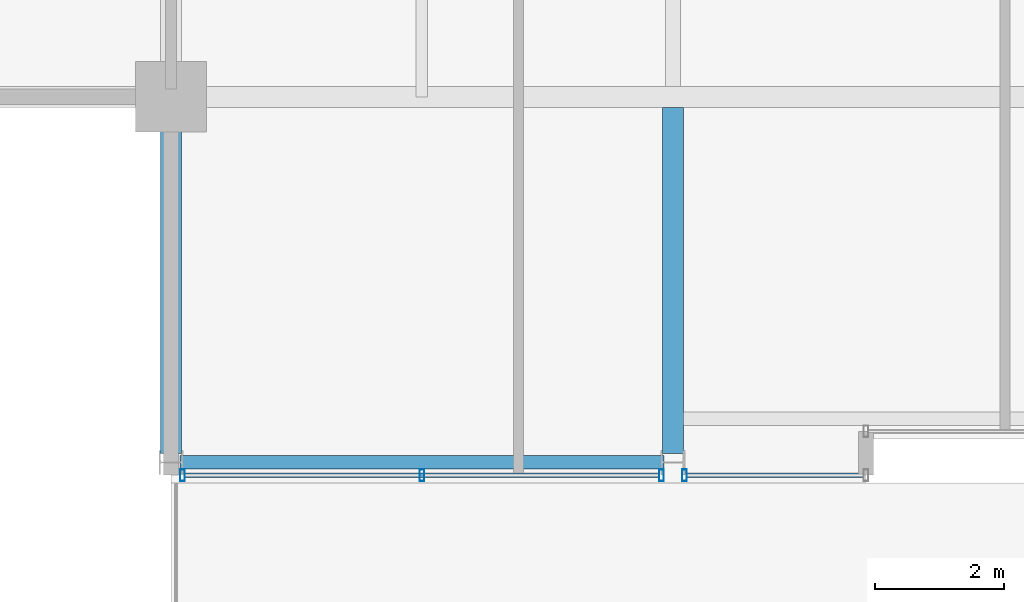
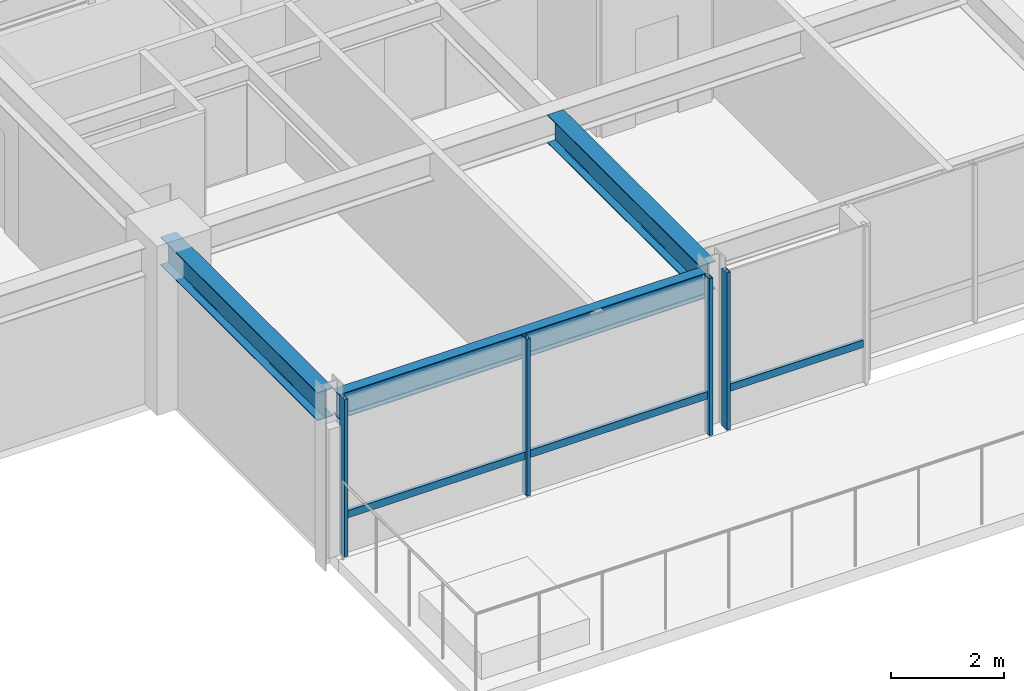
# One storey, part 3 of 32: 6 members, 3 beams, 2 elements without a shape of their own.
"""IFC4 building model written with IfcOpenShell, lengths in metres."""

from ifc_helpers import new_model, si_unit, direction, frame, origin, origin_2d, place, context, subcontext, project, spatial, hollow_rectangle, i_section, extrude, material, layer, layer_set, material_profile, profile_set, type_object, element, aggregate, save


model = new_model("IFC4")

# Units and contexts
model_context = context("Model", 3, precision=1e-05, world=origin(), true_north=direction((0.0, 1.0)))
body_context = subcontext(model_context, "Body", "Model", "MODEL_VIEW")
ifc_project = project(units=[si_unit("LENGTHUNIT", "METRE"), si_unit("AREAUNIT", "SQUARE_METRE"), si_unit("VOLUMEUNIT", "CUBIC_METRE"), si_unit("PLANEANGLEUNIT", "RADIAN"), si_unit("MASSUNIT", "GRAM", prefix="KILO")], contexts=[model_context])

# Site, building, storey
site_placement = place(None, origin())
site = spatial("IfcSite", under=ifc_project, at=site_placement, CompositionType="ELEMENT")
building_placement = place(site_placement, origin())
building = spatial("IfcBuilding", under=site, at=building_placement, Name="Drelvath Grand Hotel", CompositionType="ELEMENT")
storey_placement = place(building_placement, frame((0.0, 0.0, 265.0)))
storey = spatial("IfcBuildingStorey", under=building, at=storey_placement, Name="L69", CompositionType="ELEMENT", Elevation=265.0)

# Curtain wall, member
ifc_material_1 = material(Name="Platinum-Mist Anodised Aluminium Frame", Category="aluminium")
ifc_layer = layer(ifc_material_1, 0.199951171875)
ifc_layer_set = layer_set([ifc_layer], Name="Platinum-Mist Anodised Aluminium Frame")
curtain_wall_type = type_object("IfcCurtainWallType", Name="Stick Curtain Wall CW-05 Platinum Mist High-Rise", PredefinedType="NOTDEFINED", material=ifc_layer_set)
curtain_wall_1_placement = place(storey_placement, origin())
curtain_wall_1 = element("IfcCurtainWall", 1, at=curtain_wall_1_placement, inside=storey, type_object=curtain_wall_type, Name="L69 CW-05 Curtain Wall CW05-L69-SW1", PredefinedType="NOTDEFINED")
ifc_material_profile_1 = material_profile(ifc_material_1, hollow_rectangle(XDim=0.06494140625, YDim=0.159912109375, WallThickness=0.00390625, at=origin_2d()), Name="HSS160X65X4")
ifc_profile_set_1 = profile_set([ifc_material_profile_1], Name="Platinum-Mist Anodised Aluminium Frame")
member_type_1 = type_object("IfcMemberType", Name="Curtain Wall Horizontal Transom CW-05 HSS160X65X4", PredefinedType="USERDEFINED", material=ifc_profile_set_1)
member_1_placement = place(storey_placement, frame((-8.6181640625, 4.919921875, 0.847412109375), z_axis=(-1.0, 0.0, 0.0), x_axis=(0.0, -1.0, 0.0)))
member_1 = element("IfcMember", 2, at=member_1_placement, type_object=member_type_1, Name="CW05-L69-SW1 Sill Transom", ObjectType="TRANSOM", PredefinedType="USERDEFINED", context=body_context, shape_type="SweptSolid", body=[
    extrude(hollow_rectangle(XDim=0.06494140625, YDim=0.159912109375, WallThickness=0.00390625, at=origin_2d()), origin(), (0.0, 0.0, 1.0), 7.363525390625),
])

curtain_wall_2_placement = place(storey_placement, origin())
curtain_wall_2 = element("IfcCurtainWall", 3, at=curtain_wall_2_placement, inside=storey, type_object=curtain_wall_type, Name="L69 CW-05 Curtain Wall CW05-L69-SW2", PredefinedType="NOTDEFINED")
member_2_placement = place(storey_placement, frame((-5.43994140625, 4.919921875, 0.847412109375), z_axis=(-1.0, 0.0, 0.0), x_axis=(0.0, -1.0, 0.0)))
member_2 = element("IfcMember", 4, at=member_2_placement, type_object=member_type_1, Name="CW05-L69-SW2 Sill Transom", ObjectType="TRANSOM", PredefinedType="USERDEFINED", context=body_context, shape_type="SweptSolid", body=[
    extrude(hollow_rectangle(XDim=0.06494140625, YDim=0.159912109375, WallThickness=0.00390625, at=origin_2d()), origin(), (0.0, 0.0, 1.0), 2.741943359375),
])

# Member
ifc_material_profile_2 = material_profile(ifc_material_1, hollow_rectangle(XDim=0.074951171875, YDim=0.179931640625, WallThickness=0.0048828125, at=origin_2d()), Name="HSS180X75X5")
ifc_profile_set_2 = profile_set([ifc_material_profile_2], Name="Platinum-Mist Anodised Aluminium Frame")
member_type_2 = type_object("IfcMemberType", Name="Curtain Wall Vertical Mullion CW-05 HSS180X75X5", PredefinedType="MULLION", material=ifc_profile_set_2)
member_3_placement = place(storey_placement, frame((-8.578125, 4.919921875, 0.0), z_axis=(0.0, 0.0, 1.0), x_axis=(1.0, 0.0, 0.0)))
member_3 = element("IfcMember", 5, at=member_3_placement, type_object=member_type_2, Name="CW05-L69-SW1 Mullion 1", PredefinedType="MULLION", context=body_context, shape_type="SweptSolid", body=[
    extrude(hollow_rectangle(XDim=0.074951171875, YDim=0.179931640625, WallThickness=0.0048828125, at=origin_2d()), origin(), (0.0, 0.0, 1.0), 3.389892578125),
])

member_4_placement = place(storey_placement, frame((-12.300048828125, 4.919921875, 0.0), z_axis=(0.0, 0.0, 1.0), x_axis=(1.0, 0.0, 0.0)))
member_4 = element("IfcMember", 6, at=member_4_placement, type_object=member_type_2, Name="CW05-L69-SW1 Mullion 2", PredefinedType="MULLION", context=body_context, shape_type="SweptSolid", body=[
    extrude(hollow_rectangle(XDim=0.074951171875, YDim=0.179931640625, WallThickness=0.0048828125, at=origin_2d()), origin(), (0.0, 0.0, 1.0), 3.389892578125),
])

member_5_placement = place(storey_placement, frame((-16.021728515625, 4.919921875, 0.0), z_axis=(0.0, 0.0, 1.0), x_axis=(1.0, 0.0, 0.0)))
member_5 = element("IfcMember", 7, at=member_5_placement, type_object=member_type_2, Name="CW05-L69-SW1 Mullion 3", PredefinedType="MULLION", context=body_context, shape_type="SweptSolid", body=[
    extrude(hollow_rectangle(XDim=0.074951171875, YDim=0.179931640625, WallThickness=0.0048828125, at=origin_2d()), origin(), (0.0, 0.0, 1.0), 3.389892578125),
])

aggregate(curtain_wall_1, [member_3, member_4, member_5, member_1])

member_6_placement = place(storey_placement, frame((-8.2216796875, 4.919921875, 0.0), z_axis=(0.0, 0.0, 1.0), x_axis=(1.0, 0.0, 0.0)))
member_6 = element("IfcMember", 8, at=member_6_placement, type_object=member_type_2, Name="CW05-L69-SW2 Mullion 2", PredefinedType="MULLION", context=body_context, shape_type="SweptSolid", body=[
    extrude(hollow_rectangle(XDim=0.074951171875, YDim=0.179931640625, WallThickness=0.0048828125, at=origin_2d()), origin(), (0.0, 0.0, 1.0), 3.389892578125),
])

aggregate(curtain_wall_2, [member_6, member_2])

# Beams
ifc_material_2 = material(Name="Steel ASTM A992 Gr 50", Category="steel")
ifc_material_profile_3 = material_profile(ifc_material_2, i_section(OverallWidth=0.210205078125, OverallDepth=0.53662109375, WebThickness=0.010986328125, FlangeThickness=0.017333984375, FilletRadius=0.01806640625, at=origin_2d()), Name="W21X68")
ifc_profile_set_3 = profile_set([ifc_material_profile_3], Name="Steel ASTM A992 Gr 50")
beam_type_1 = type_object("IfcBeamType", Name="Perimeter Spandrel Beam W21X68", PredefinedType="SPANDREL", material=ifc_profile_set_3)
beam_1_placement = place(storey_placement, frame((-16.06005859375, 5.1201171875, 3.12158203125), z_axis=(1.0, 0.0, 0.0), x_axis=(0.0, 1.0, 0.0)))
element("IfcBeam", 9, at=beam_1_placement, inside=storey, type_object=beam_type_1, Name="L69 Spandrel South W", PredefinedType="SPANDREL", context=body_context, shape_type="SweptSolid", body=[
    extrude(i_section(OverallWidth=0.210205078125, OverallDepth=0.53662109375, WebThickness=0.010986328125, FlangeThickness=0.017333984375, FilletRadius=0.01806640625, at=origin_2d()), origin(), (0.0, 0.0, 1.0), 7.52001953125),
])
ifc_material_profile_4 = material_profile(ifc_material_2, i_section(OverallWidth=0.323974609375, OverallDepth=0.611083984375, WebThickness=0.0126953125, FlangeThickness=0.01904296875, FilletRadius=0.02197265625, at=origin_2d()), Name="W24X104")
ifc_profile_set_4 = profile_set([ifc_material_profile_4], Name="Steel ASTM A992 Gr 50")
beam_type_2 = type_object("IfcBeamType", Name="Primary Floor Girder W24X104", PredefinedType="BEAM", material=ifc_profile_set_4)
beam_2_placement = place(storey_placement, frame((-16.199951171875, 5.260009765625, 3.08447265625), z_axis=(0.0, 1.0, 0.0), x_axis=(-1.0, 0.0, 0.0)))
element("IfcBeam", 10, at=beam_2_placement, inside=storey, type_object=beam_type_2, Name="L69 South Grid Girder 3", PredefinedType="BEAM", context=body_context, shape_type="SweptSolid", body=[
    extrude(i_section(OverallWidth=0.323974609375, OverallDepth=0.611083984375, WebThickness=0.0126953125, FlangeThickness=0.01904296875, FilletRadius=0.02197265625, at=origin_2d()), origin(), (0.0, 0.0, 1.0), 5.5400390625),
])
beam_3_placement = place(storey_placement, frame((-8.39990234375, 5.260009765625, 3.08447265625), z_axis=(0.0, 1.0, 0.0), x_axis=(-1.0, 0.0, 0.0)))
element("IfcBeam", 11, at=beam_3_placement, inside=storey, type_object=beam_type_2, Name="L69 South Wing Girder 4", PredefinedType="BEAM", context=body_context, shape_type="SweptSolid", body=[
    extrude(i_section(OverallWidth=0.323974609375, OverallDepth=0.611083984375, WebThickness=0.0126953125, FlangeThickness=0.01904296875, FilletRadius=0.02197265625, at=origin_2d()), origin(), (0.0, 0.0, 1.0), 5.3779296875),
])

save(model, "model.ifc")
